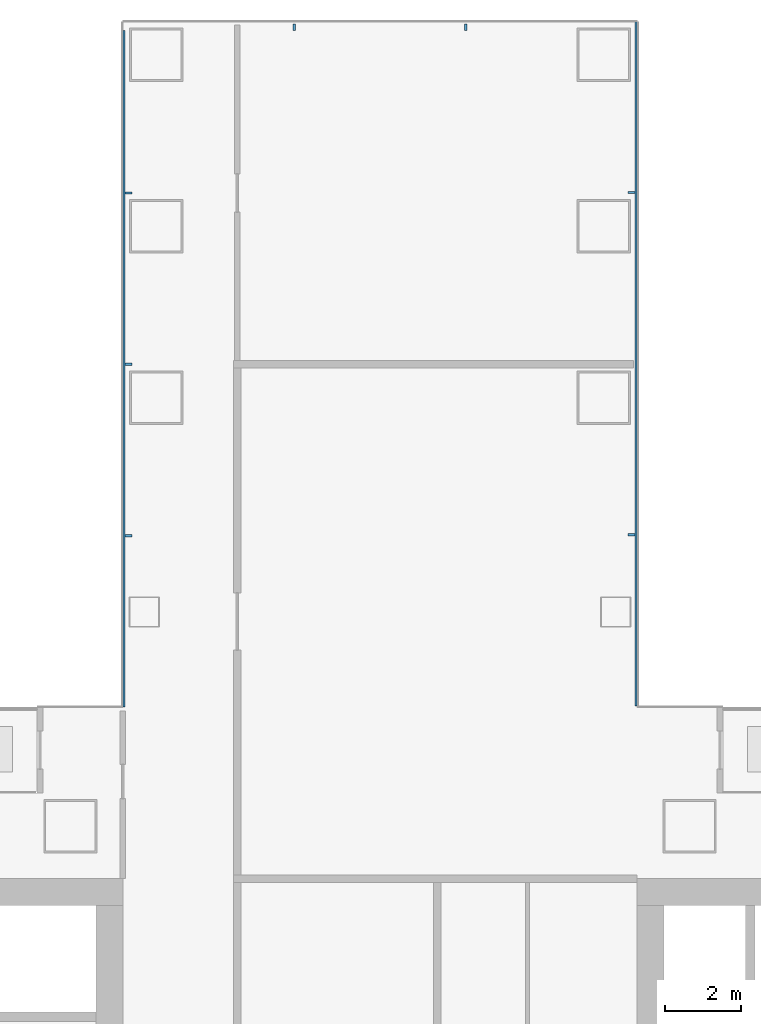
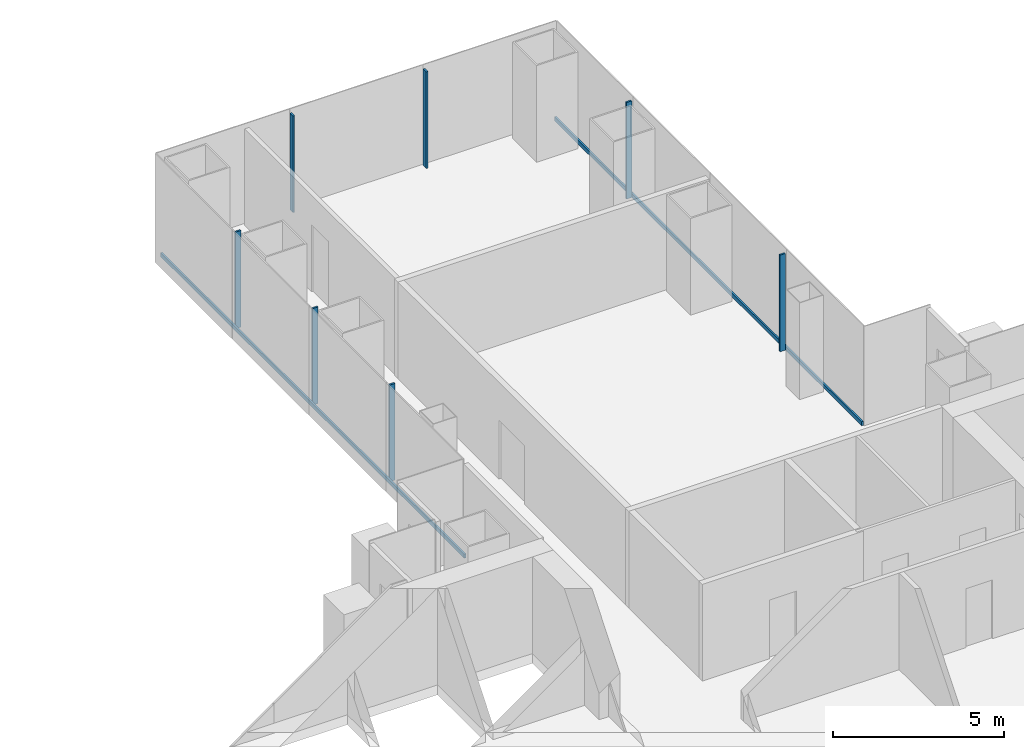
# One storey, part 10 of 22: 9 members, 3 elements without a shape of their own.
"""IFC4 building model written with IfcOpenShell, lengths in metres."""

from ifc_helpers import new_model, si_unit, direction, frame, origin, origin_2d, place, context, subcontext, project, spatial, rectangle, extrude, material, layer, layer_set, material_profile, profile_set, type_object, element, aggregate, save


model = new_model("IFC4")

# Units and contexts
model_context = context("Model", 3, precision=1e-05, world=origin(), true_north=direction((0.0, 1.0)))
body_context = subcontext(model_context, "Body", "Model", "MODEL_VIEW")
ifc_project = project(units=[si_unit("LENGTHUNIT", "METRE"), si_unit("AREAUNIT", "SQUARE_METRE"), si_unit("VOLUMEUNIT", "CUBIC_METRE"), si_unit("PLANEANGLEUNIT", "RADIAN"), si_unit("MASSUNIT", "GRAM", prefix="KILO")], contexts=[model_context])

# Site, building, storey
site_placement = place(None, origin())
site = spatial("IfcSite", under=ifc_project, at=site_placement, CompositionType="ELEMENT")
building_placement = place(site_placement, origin())
building = spatial("IfcBuilding", under=site, at=building_placement, Name="Shamsa Quay Exchange Towers", CompositionType="ELEMENT")
storey_placement = place(building_placement, frame((0.0, 0.0, 73.199951171875)))
storey = spatial("IfcBuildingStorey", under=building, at=storey_placement, Name="L16", CompositionType="ELEMENT", Elevation=73.199951171875)

# Curtain wall, members
ifc_material = material(Name="Aluminium EN AW-6063 T6, black anodised", Category="aluminium")
ifc_layer = layer(ifc_material, 0.280029296875)
ifc_layer_set = layer_set([ifc_layer], Name="CW-1 UNITISED VISION GLASS")
curtain_wall_type = type_object("IfcCurtainWallType", Name="CW-1 UNITISED VISION GLASS", PredefinedType="NOTDEFINED", material=ifc_layer_set)
curtain_wall_1_placement = place(storey_placement, origin())
curtain_wall_1 = element("IfcCurtainWall", 1, at=curtain_wall_1_placement, inside=storey, type_object=curtain_wall_type, Name="CW1 T2-FLK-U+S L16", PredefinedType="NOTDEFINED")
ifc_material_profile_1 = material_profile(ifc_material, rectangle(XDim=0.179931640625, YDim=0.06005859375, at=origin_2d()), Name="MU60x180")
ifc_profile_set_1 = profile_set([ifc_material_profile_1], Name="Aluminium EN AW-6063 T6, black anodised")
member_type_1 = type_object("IfcMemberType", Name="CW1 MULLION 60x180", PredefinedType="MULLION", material=ifc_profile_set_1)
member_1_placement = place(storey_placement, frame((40.35009765625, 15.778564453125, 0.0), z_axis=(0.0, 0.0, 1.0), x_axis=(-1.0, 0.0, 0.0)))
member_1 = element("IfcMember", 2, at=member_1_placement, type_object=member_type_1, Name="CW1 mullion", PredefinedType="MULLION", context=body_context, shape_type="SweptSolid", body=[
    extrude(rectangle(XDim=0.179931640625, YDim=0.06005859375, at=origin_2d()), origin(), (0.0, 0.0, 1.0), 3.449951171875),
])
member_2_placement = place(storey_placement, frame((40.35009765625, 24.759521484375, 0.0), z_axis=(0.0, 0.0, 1.0), x_axis=(-1.0, 0.0, 0.0)))
member_2 = element("IfcMember", 3, at=member_2_placement, type_object=member_type_1, Name="CW1 mullion", PredefinedType="MULLION", context=body_context, shape_type="SweptSolid", body=[
    extrude(rectangle(XDim=0.179931640625, YDim=0.06005859375, at=origin_2d()), origin(), (0.0, 0.0, 1.0), 3.449951171875),
])

curtain_wall_2_placement = place(storey_placement, origin())
curtain_wall_2 = element("IfcCurtainWall", 4, at=curtain_wall_2_placement, inside=storey, type_object=curtain_wall_type, Name="CW1 T2-END-U+ L16", PredefinedType="NOTDEFINED")
member_3_placement = place(storey_placement, frame((36.0, 29.10009765625, 0.0), z_axis=(0.0, 0.0, 1.0), x_axis=(0.0, -1.0, 0.0)))
member_3 = element("IfcMember", 5, at=member_3_placement, type_object=member_type_1, Name="CW1 mullion", PredefinedType="MULLION", context=body_context, shape_type="SweptSolid", body=[
    extrude(rectangle(XDim=0.179931640625, YDim=0.06005859375, at=origin_2d()), origin(), (0.0, 0.0, 1.0), 3.449951171875),
])
member_4_placement = place(storey_placement, frame((31.5, 29.10009765625, 0.0), z_axis=(0.0, 0.0, 1.0), x_axis=(0.0, -1.0, 0.0)))
member_4 = element("IfcMember", 6, at=member_4_placement, type_object=member_type_1, Name="CW1 mullion", PredefinedType="MULLION", context=body_context, shape_type="SweptSolid", body=[
    extrude(rectangle(XDim=0.179931640625, YDim=0.06005859375, at=origin_2d()), origin(), (0.0, 0.0, 1.0), 3.449951171875),
])
aggregate(curtain_wall_2, [member_3, member_4])

curtain_wall_3_placement = place(storey_placement, origin())
curtain_wall_3 = element("IfcCurtainWall", 7, at=curtain_wall_3_placement, inside=storey, type_object=curtain_wall_type, Name="CW1 T2-FLK-U+N L16", PredefinedType="NOTDEFINED")
member_5_placement = place(storey_placement, frame((27.14990234375, 24.75, 0.0)))
member_5 = element("IfcMember", 8, at=member_5_placement, type_object=member_type_1, Name="CW1 mullion", PredefinedType="MULLION", context=body_context, shape_type="SweptSolid", body=[
    extrude(rectangle(XDim=0.179931640625, YDim=0.06005859375, at=origin_2d()), origin(), (0.0, 0.0, 1.0), 3.449951171875),
])
member_6_placement = place(storey_placement, frame((27.14990234375, 20.25, 0.0)))
member_6 = element("IfcMember", 9, at=member_6_placement, type_object=member_type_1, Name="CW1 mullion", PredefinedType="MULLION", context=body_context, shape_type="SweptSolid", body=[
    extrude(rectangle(XDim=0.179931640625, YDim=0.06005859375, at=origin_2d()), origin(), (0.0, 0.0, 1.0), 3.449951171875),
])
member_7_placement = place(storey_placement, frame((27.14990234375, 15.75, 0.0)))
member_7 = element("IfcMember", 10, at=member_7_placement, type_object=member_type_1, Name="CW1 mullion", PredefinedType="MULLION", context=body_context, shape_type="SweptSolid", body=[
    extrude(rectangle(XDim=0.179931640625, YDim=0.06005859375, at=origin_2d()), origin(), (0.0, 0.0, 1.0), 3.449951171875),
])

# Member
ifc_material_profile_2 = material_profile(ifc_material, rectangle(XDim=0.06005859375, YDim=0.139892578125, at=origin_2d()), Name="TR140x60")
ifc_profile_set_2 = profile_set([ifc_material_profile_2], Name="Aluminium EN AW-6063 T6, black anodised")
member_type_2 = type_object("IfcMemberType", Name="CW1 TRANSOM 140x60", PredefinedType="USERDEFINED", material=ifc_profile_set_2)
member_8_placement = place(storey_placement, frame((40.469970703125, 11.2880859375, 0.070068359375), z_axis=(0.0, 1.0, 0.0), x_axis=(-1.0, 0.0, 0.0)))
member_8 = element("IfcMember", 11, at=member_8_placement, type_object=member_type_2, Name="CW1 transom", ObjectType="TRANSOM", PredefinedType="USERDEFINED", context=body_context, shape_type="SweptSolid", body=[
    extrude(rectangle(XDim=0.06005859375, YDim=0.139892578125, at=origin_2d()), origin(), (0.0, 0.0, 1.0), 17.9619140625),
])

aggregate(curtain_wall_1, [member_8, member_1, member_2])

member_9_placement = place(storey_placement, frame((27.030029296875, 29.008056640625, 0.070068359375), z_axis=(0.0, -1.0, 0.0), x_axis=(1.0, 0.0, 0.0)))
member_9 = element("IfcMember", 12, at=member_9_placement, type_object=member_type_2, Name="CW1 transom", ObjectType="TRANSOM", PredefinedType="USERDEFINED", context=body_context, shape_type="SweptSolid", body=[
    extrude(rectangle(XDim=0.06005859375, YDim=0.139892578125, at=origin_2d()), origin(), (0.0, 0.0, 1.0), 17.758056640625),
])

aggregate(curtain_wall_3, [member_9, member_5, member_6, member_7])

save(model, "model.ifc")
